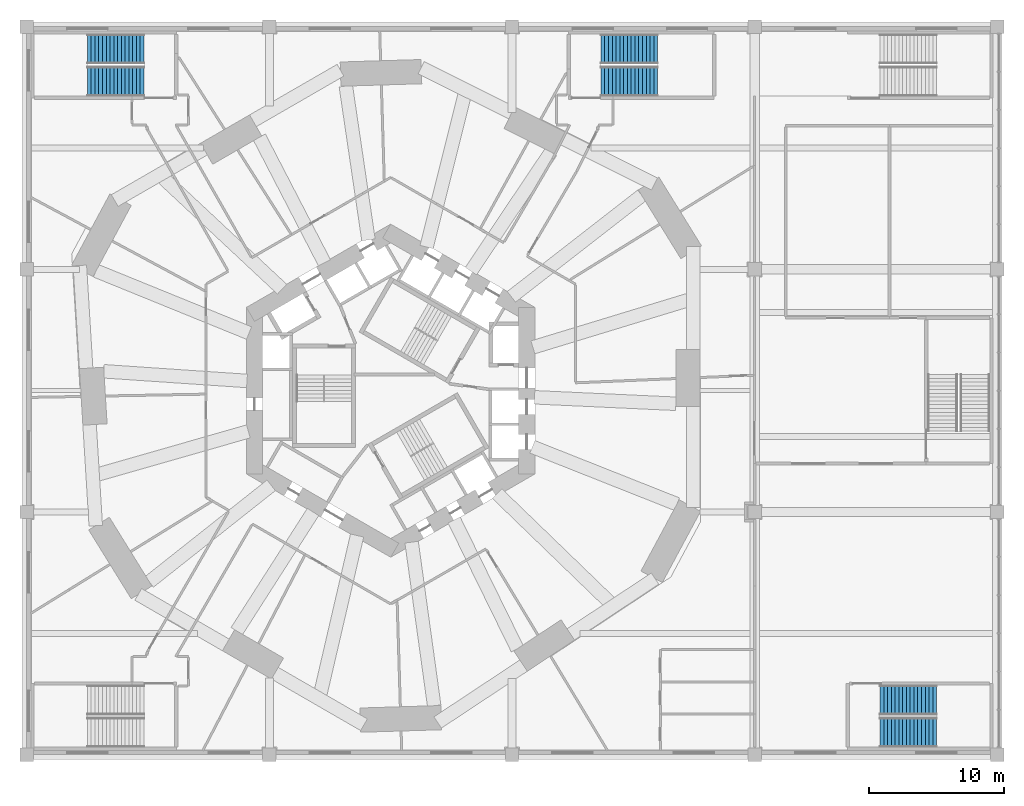
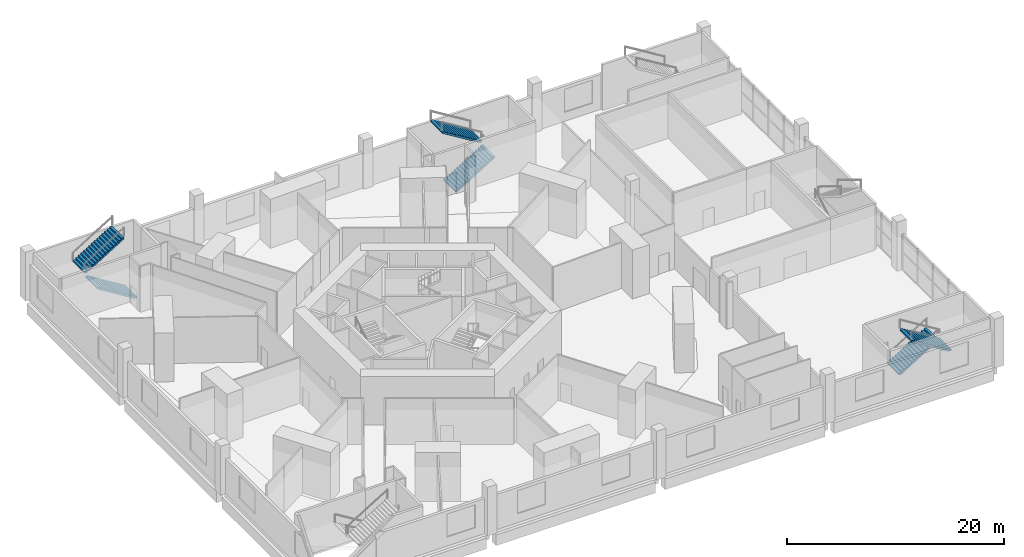
# One storey, part 13 of 16: 6 stair flights, 3 elements without a shape of their own.
"""IFC4 building model written with IfcOpenShell, lengths in metres."""

from ifc_helpers import new_model, si_unit, direction, frame, origin, place, context, subcontext, project, spatial, triangles, source, transform, mapped, material, type_object, element, aggregate, save


model = new_model("IFC4")

# Units and contexts
model_context = context("Model", 3, precision=1e-05, world=origin(), true_north=direction((0.0, 1.0)))
body_context = subcontext(model_context, "Body", "Model", "MODEL_VIEW")
ifc_project = project(units=[si_unit("LENGTHUNIT", "METRE"), si_unit("AREAUNIT", "SQUARE_METRE"), si_unit("VOLUMEUNIT", "CUBIC_METRE"), si_unit("PLANEANGLEUNIT", "RADIAN"), si_unit("MASSUNIT", "GRAM", prefix="KILO")], contexts=[model_context])

# Site, building, storey
site_placement = place(None, origin())
site = spatial("IfcSite", under=ifc_project, at=site_placement, CompositionType="ELEMENT")
building_placement = place(site_placement, origin())
building = spatial("IfcBuilding", under=site, at=building_placement, Name="Vanh Sen Convention Tower", CompositionType="ELEMENT")
storey_placement = place(building_placement, frame((0.0, 0.0, 29.0)))
storey = spatial("IfcBuildingStorey", under=building, at=storey_placement, Name="L04", CompositionType="ELEMENT", Elevation=29.0)

# Stair, stair flights
ifc_material = material(Name="Concrete C40/50", Category="concrete")
stair_type = type_object("IfcStairType", Name="Podium exit stair 2200", PredefinedType="HALF_TURN_STAIR", material=ifc_material)
stair_1_placement = place(storey_placement, origin())
stair_1 = element("IfcStair", 1, at=stair_1_placement, inside=storey, type_object=stair_type, Name="Exit stair PS2 L04", PredefinedType="HALF_TURN_STAIR")
stair_flight_type = type_object("IfcStairFlightType", Name="Podium exit stair flight 2200", PredefinedType="STRAIGHT", material=ifc_material)
shared_shape = source(origin(), body_context, "Body", "Tessellation", [
    triangles([(0.28662109375, 1.10009765625, 0.0), (0.0, 1.10009765625, 0.0), (0.0, 1.10009765625, 0.171875), (0.280029296875, 1.10009765625, 0.171875), (0.280029296875, 1.10009765625, 0.34375), (0.56005859375, 1.10009765625, 0.34375), (0.56005859375, 1.10009765625, 0.515625), (0.840087890625, 1.10009765625, 0.515625), (0.840087890625, 1.10009765625, 0.6875), (1.1201171875, 1.10009765625, 0.6875), (1.1201171875, 1.10009765625, 0.859375), (1.39990234375, 1.10009765625, 0.859375), (1.39990234375, 1.10009765625, 1.03125), (1.679931640625, 1.10009765625, 1.03125), (1.679931640625, 1.10009765625, 1.203125), (1.9599609375, 1.10009765625, 1.203125), (1.9599609375, 1.10009765625, 1.375), (2.239990234375, 1.10009765625, 1.375), (2.239990234375, 1.10009765625, 1.546875), (2.52001953125, 1.10009765625, 1.546875), (2.52001953125, 1.10009765625, 1.71875), (2.800048828125, 1.10009765625, 1.71875), (2.800048828125, 1.10009765625, 1.890625), (3.080078125, 1.10009765625, 1.890625), (3.080078125, 1.10009765625, 2.0625), (3.360107421875, 1.10009765625, 2.0625), (3.360107421875, 1.10009765625, 2.234375), (3.639892578125, 1.10009765625, 2.234375), (3.639892578125, 1.10009765625, 2.40625), (3.919921875, 1.10009765625, 2.40625), (3.919921875, 1.10009765625, 2.578125), (4.199951171875, 1.10009765625, 2.578125), (4.199951171875, 1.10009765625, 2.40234375), (0.28662109375, -1.10009765625, 0.0), (0.0, -1.10009765625, 0.0), (0.0, -1.10009765625, 0.171875), (0.280029296875, -1.10009765625, 0.171875), (0.280029296875, -1.10009765625, 0.34375), (0.56005859375, -1.10009765625, 0.34375), (0.56005859375, -1.10009765625, 0.515625), (0.840087890625, -1.10009765625, 0.515625), (0.840087890625, -1.10009765625, 0.6875), (1.1201171875, -1.10009765625, 0.6875), (1.1201171875, -1.10009765625, 0.859375), (1.39990234375, -1.10009765625, 0.859375), (1.39990234375, -1.10009765625, 1.03125), (1.679931640625, -1.10009765625, 1.03125), (1.679931640625, -1.10009765625, 1.203125), (1.9599609375, -1.10009765625, 1.203125), (1.9599609375, -1.10009765625, 1.375), (2.239990234375, -1.10009765625, 1.375), (2.239990234375, -1.10009765625, 1.546875), (2.52001953125, -1.10009765625, 1.546875), (2.52001953125, -1.10009765625, 1.71875), (2.800048828125, -1.10009765625, 1.71875), (2.800048828125, -1.10009765625, 1.890625), (3.080078125, -1.10009765625, 1.890625), (3.080078125, -1.10009765625, 2.0625), (3.360107421875, -1.10009765625, 2.0625), (3.360107421875, -1.10009765625, 2.234375), (3.639892578125, -1.10009765625, 2.234375), (3.639892578125, -1.10009765625, 2.40625), (3.919921875, -1.10009765625, 2.40625), (3.919921875, -1.10009765625, 2.578125), (4.199951171875, -1.10009765625, 2.578125), (4.199951171875, -1.10009765625, 2.40234375), (0.0, 0.0439453125, 0.0), (0.0, 0.04296875, 0.0), (0.0, 0.0419921875, 0.0), (0.0, 0.04052734375, 0.0), (0.0, 0.03955078125, 0.0), (0.0, 0.03857421875, 0.0), (0.0, 0.03759765625, 0.0), (0.0, 0.0361328125, 0.0), (0.0, 0.03515625, 0.0), (0.0, 0.0341796875, 0.0), (0.0, 0.033203125, 0.0), (0.0, 0.03173828125, 0.0), (0.0, 0.03076171875, 0.0), (0.0, 0.02978515625, 0.0), (0.0, 0.02880859375, 0.0), (0.0, 0.02734375, 0.0), (0.0, 0.0263671875, 0.0), (0.0, 0.025390625, 0.0), (0.0, 0.0244140625, 0.0), (0.0, 0.02294921875, 0.0), (0.0, 0.02197265625, 0.0), (0.0, 0.02099609375, 0.0), (0.0, 0.02001953125, 0.0), (0.0, 0.0185546875, 0.0), (0.0, 0.017578125, 0.0), (0.0, 0.0166015625, 0.0), (0.0, 0.015625, 0.0), (0.0, 0.01416015625, 0.0), (0.0, 0.01318359375, 0.0), (0.0, 0.01220703125, 0.0), (0.0, 0.01123046875, 0.0), (0.0, 0.009765625, 0.0), (0.0, 0.0087890625, 0.0), (0.0, 0.0078125, 0.0), (0.0, 0.0068359375, 0.0), (0.0, 0.00537109375, 0.0), (0.0, 0.00439453125, 0.0), (0.0, 0.00341796875, 0.0), (0.0, 0.00244140625, 0.0), (0.0, 0.0009765625, 0.0), (0.0, 0.0, 0.0), (0.0, -0.0009765625, 0.0), (0.0, -0.00244140625, 0.0), (0.0, -0.00341796875, 0.0), (0.0, -0.00439453125, 0.0), (0.0, -0.00537109375, 0.0), (0.0, -0.0068359375, 0.0), (0.0, -0.0078125, 0.0), (0.0, -0.0087890625, 0.0), (0.0, -0.009765625, 0.0), (0.0, -0.01123046875, 0.0), (0.0, -0.01220703125, 0.0), (0.0, -0.01318359375, 0.0), (0.0, -0.01416015625, 0.0), (0.0, -0.015625, 0.0), (0.0, -0.0166015625, 0.0), (0.0, -0.017578125, 0.0), (0.0, -0.0185546875, 0.0), (0.0, -0.02001953125, 0.0), (0.0, -0.02099609375, 0.0), (0.0, -0.02197265625, 0.0), (0.0, -0.02294921875, 0.0), (0.0, -0.0244140625, 0.0), (0.0, -0.025390625, 0.0), (0.0, -0.0263671875, 0.0), (0.0, -0.02734375, 0.0), (0.0, -0.02880859375, 0.0), (0.0, -0.02978515625, 0.0), (0.0, -0.03076171875, 0.0), (0.0, -0.03173828125, 0.0), (0.0, -0.033203125, 0.0), (0.0, -0.0341796875, 0.0), (0.0, -0.03515625, 0.0), (0.0, -0.0361328125, 0.0), (0.0, -0.03759765625, 0.0), (0.0, -0.03857421875, 0.0), (0.0, -0.03955078125, 0.0), (0.0, -0.04052734375, 0.0), (0.0, -0.0419921875, 0.0), (0.0, -0.04296875, 0.0), (0.0, -0.0439453125, 0.0), (0.0, 0.0439453125, 0.171875), (0.0, 0.04296875, 0.171875), (0.0, 0.0419921875, 0.171875), (0.0, 0.04052734375, 0.171875), (0.0, 0.03955078125, 0.171875), (0.0, 0.03857421875, 0.171875), (0.0, 0.03759765625, 0.171875), (0.0, 0.0361328125, 0.171875), (0.0, 0.03515625, 0.171875), (0.0, 0.0341796875, 0.171875), (0.0, 0.033203125, 0.171875), (0.0, 0.03173828125, 0.171875), (0.0, 0.03076171875, 0.171875), (0.0, 0.02978515625, 0.171875), (0.0, 0.02880859375, 0.171875), (0.0, 0.02734375, 0.171875), (0.0, 0.0263671875, 0.171875), (0.0, 0.025390625, 0.171875), (0.0, 0.0244140625, 0.171875), (0.0, 0.02294921875, 0.171875), (0.0, 0.02197265625, 0.171875), (0.0, 0.02099609375, 0.171875), (0.0, 0.02001953125, 0.171875), (0.0, 0.0185546875, 0.171875), (0.0, 0.017578125, 0.171875), (0.0, 0.0166015625, 0.171875), (0.0, 0.015625, 0.171875), (0.0, 0.01416015625, 0.171875), (0.0, 0.01318359375, 0.171875), (0.0, 0.01220703125, 0.171875), (0.0, 0.01123046875, 0.171875), (0.0, 0.009765625, 0.171875), (0.0, 0.0087890625, 0.171875), (0.0, 0.0078125, 0.171875), (0.0, 0.0068359375, 0.171875), (0.0, 0.00537109375, 0.171875), (0.0, 0.00439453125, 0.171875), (0.0, 0.00341796875, 0.171875), (0.0, 0.00244140625, 0.171875), (0.0, 0.0009765625, 0.171875), (0.0, 0.0, 0.171875), (0.0, -0.0009765625, 0.171875), (0.0, -0.00244140625, 0.171875), (0.0, -0.00341796875, 0.171875), (0.0, -0.00439453125, 0.171875), (0.0, -0.00537109375, 0.171875), (0.0, -0.0068359375, 0.171875), (0.0, -0.0078125, 0.171875), (0.0, -0.0087890625, 0.171875), (0.0, -0.009765625, 0.171875), (0.0, -0.01123046875, 0.171875), (0.0, -0.01220703125, 0.171875), (0.0, -0.01318359375, 0.171875), (0.0, -0.01416015625, 0.171875), (0.0, -0.015625, 0.171875), (0.0, -0.0166015625, 0.171875), (0.0, -0.017578125, 0.171875), (0.0, -0.0185546875, 0.171875), (0.0, -0.02001953125, 0.171875), (0.0, -0.02099609375, 0.171875), (0.0, -0.02197265625, 0.171875), (0.0, -0.02294921875, 0.171875), (0.0, -0.0244140625, 0.171875), (0.0, -0.025390625, 0.171875), (0.0, -0.0263671875, 0.171875), (0.0, -0.02734375, 0.171875), (0.0, -0.02880859375, 0.171875), (0.0, -0.02978515625, 0.171875), (0.0, -0.03076171875, 0.171875), (0.0, -0.03173828125, 0.171875), (0.0, -0.033203125, 0.171875), (0.0, -0.0341796875, 0.171875), (0.0, -0.03515625, 0.171875), (0.0, -0.0361328125, 0.171875), (0.0, -0.03759765625, 0.171875), (0.0, -0.03857421875, 0.171875), (0.0, -0.03955078125, 0.171875), (0.0, -0.04052734375, 0.171875), (0.0, -0.0419921875, 0.171875), (0.0, -0.04296875, 0.171875), (0.0, -0.0439453125, 0.171875), (0.280029296875, 0.0, 0.171875), (0.280029296875, 0.0, 0.34375), (0.56005859375, 0.0, 0.34375), (0.56005859375, 0.0, 0.515625), (0.840087890625, 0.0, 0.515625), (0.840087890625, 0.0, 0.6875), (1.1201171875, 0.0, 0.6875), (1.1201171875, 0.0, 0.859375), (1.39990234375, 0.0, 0.859375), (1.39990234375, 0.0, 1.03125), (1.679931640625, 0.0, 1.03125), (1.679931640625, 0.0, 1.203125), (1.9599609375, 0.0, 1.203125), (1.9599609375, 0.0, 1.375), (2.239990234375, 0.0, 1.375), (2.239990234375, 0.0, 1.546875), (2.52001953125, 0.0, 1.546875), (2.52001953125, 0.0, 1.71875), (2.800048828125, 0.0, 1.71875), (2.800048828125, 0.0, 1.890625), (3.080078125, 0.0, 1.890625), (3.080078125, 0.0, 2.0625), (3.360107421875, 0.0, 2.0625), (3.360107421875, 0.0, 2.234375), (3.639892578125, 0.0, 2.234375), (3.639892578125, 0.0, 2.40625), (3.919921875, 0.0, 2.40625), (3.919921875, 0.0, 2.578125), (4.199951171875, 0.0439453125, 2.578125), (4.199951171875, 0.04296875, 2.578125), (4.199951171875, 0.0419921875, 2.578125), (4.199951171875, 0.04052734375, 2.578125), (4.199951171875, 0.03955078125, 2.578125), (4.199951171875, 0.03857421875, 2.578125), (4.199951171875, 0.03759765625, 2.578125), (4.199951171875, 0.0361328125, 2.578125), (4.199951171875, 0.03515625, 2.578125), (4.199951171875, 0.0341796875, 2.578125), (4.199951171875, 0.033203125, 2.578125), (4.199951171875, 0.03173828125, 2.578125), (4.199951171875, 0.03076171875, 2.578125), (4.199951171875, 0.02978515625, 2.578125), (4.199951171875, 0.02880859375, 2.578125), (4.199951171875, 0.02734375, 2.578125), (4.199951171875, 0.0263671875, 2.578125), (4.199951171875, 0.025390625, 2.578125), (4.199951171875, 0.0244140625, 2.578125), (4.199951171875, 0.02294921875, 2.578125), (4.199951171875, 0.02197265625, 2.578125), (4.199951171875, 0.02099609375, 2.578125), (4.199951171875, 0.02001953125, 2.578125), (4.199951171875, 0.0185546875, 2.578125), (4.199951171875, 0.017578125, 2.578125), (4.199951171875, 0.0166015625, 2.578125), (4.199951171875, 0.015625, 2.578125), (4.199951171875, 0.01416015625, 2.578125), (4.199951171875, 0.01318359375, 2.578125), (4.199951171875, 0.01220703125, 2.578125), (4.199951171875, 0.01123046875, 2.578125), (4.199951171875, 0.009765625, 2.578125), (4.199951171875, 0.0087890625, 2.578125), (4.199951171875, 0.0078125, 2.578125), (4.199951171875, 0.0068359375, 2.578125), (4.199951171875, 0.00537109375, 2.578125), (4.199951171875, 0.00439453125, 2.578125), (4.199951171875, 0.00341796875, 2.578125), (4.199951171875, 0.00244140625, 2.578125), (4.199951171875, 0.0009765625, 2.578125), (4.199951171875, 0.0, 2.578125), (4.199951171875, -0.0009765625, 2.578125), (4.199951171875, -0.00244140625, 2.578125), (4.199951171875, -0.00341796875, 2.578125), (4.199951171875, -0.00439453125, 2.578125), (4.199951171875, -0.00537109375, 2.578125), (4.199951171875, -0.0068359375, 2.578125), (4.199951171875, -0.0078125, 2.578125), (4.199951171875, -0.0087890625, 2.578125), (4.199951171875, -0.009765625, 2.578125), (4.199951171875, -0.01123046875, 2.578125), (4.199951171875, -0.01220703125, 2.578125), (4.199951171875, -0.01318359375, 2.578125), (4.199951171875, -0.01416015625, 2.578125), (4.199951171875, -0.015625, 2.578125), (4.199951171875, -0.0166015625, 2.578125), (4.199951171875, -0.017578125, 2.578125), (4.199951171875, -0.0185546875, 2.578125), (4.199951171875, -0.02001953125, 2.578125), (4.199951171875, -0.02099609375, 2.578125), (4.199951171875, -0.02197265625, 2.578125), (4.199951171875, -0.02294921875, 2.578125), (4.199951171875, -0.0244140625, 2.578125), (4.199951171875, -0.025390625, 2.578125), (4.199951171875, -0.0263671875, 2.578125), (4.199951171875, -0.02734375, 2.578125), (4.199951171875, -0.02880859375, 2.578125), (4.199951171875, -0.02978515625, 2.578125), (4.199951171875, -0.03076171875, 2.578125), (4.199951171875, -0.03173828125, 2.578125), (4.199951171875, -0.033203125, 2.578125), (4.199951171875, -0.0341796875, 2.578125), (4.199951171875, -0.03515625, 2.578125), (4.199951171875, -0.0361328125, 2.578125), (4.199951171875, -0.03759765625, 2.578125), (4.199951171875, -0.03857421875, 2.578125), (4.199951171875, -0.03955078125, 2.578125), (4.199951171875, -0.04052734375, 2.578125), (4.199951171875, -0.0419921875, 2.578125), (4.199951171875, -0.04296875, 2.578125), (4.199951171875, -0.0439453125, 2.578125), (4.199951171875, 0.0439453125, 2.40234375), (4.199951171875, 0.04296875, 2.40234375), (4.199951171875, 0.0419921875, 2.40234375), (4.199951171875, 0.04052734375, 2.40234375), (4.199951171875, 0.03955078125, 2.40234375), (4.199951171875, 0.03857421875, 2.40234375), (4.199951171875, 0.03759765625, 2.40234375), (4.199951171875, 0.0361328125, 2.40234375), (4.199951171875, 0.03515625, 2.40234375), (4.199951171875, 0.0341796875, 2.40234375), (4.199951171875, 0.033203125, 2.40234375), (4.199951171875, 0.03173828125, 2.40234375), (4.199951171875, 0.03076171875, 2.40234375), (4.199951171875, 0.02978515625, 2.40234375), (4.199951171875, 0.02880859375, 2.40234375), (4.199951171875, 0.02734375, 2.40234375), (4.199951171875, 0.0263671875, 2.40234375), (4.199951171875, 0.025390625, 2.40234375), (4.199951171875, 0.0244140625, 2.40234375), (4.199951171875, 0.02294921875, 2.40234375), (4.199951171875, 0.02197265625, 2.40234375), (4.199951171875, 0.02099609375, 2.40234375), (4.199951171875, 0.02001953125, 2.40234375), (4.199951171875, 0.0185546875, 2.40234375), (4.199951171875, 0.017578125, 2.40234375), (4.199951171875, 0.0166015625, 2.40234375), (4.199951171875, 0.015625, 2.40234375), (4.199951171875, 0.01416015625, 2.40234375), (4.199951171875, 0.01318359375, 2.40234375), (4.199951171875, 0.01220703125, 2.40234375), (4.199951171875, 0.01123046875, 2.40234375), (4.199951171875, 0.009765625, 2.40234375), (4.199951171875, 0.0087890625, 2.40234375), (4.199951171875, 0.0078125, 2.40234375), (4.199951171875, 0.0068359375, 2.40234375), (4.199951171875, 0.00537109375, 2.40234375), (4.199951171875, 0.00439453125, 2.40234375), (4.199951171875, 0.00341796875, 2.40234375), (4.199951171875, 0.00244140625, 2.40234375), (4.199951171875, 0.0009765625, 2.40234375), (4.199951171875, 0.0, 2.40234375), (4.199951171875, -0.0009765625, 2.40234375), (4.199951171875, -0.00244140625, 2.40234375), (4.199951171875, -0.00341796875, 2.40234375), (4.199951171875, -0.00439453125, 2.40234375), (4.199951171875, -0.00537109375, 2.40234375), (4.199951171875, -0.0068359375, 2.40234375), (4.199951171875, -0.0078125, 2.40234375), (4.199951171875, -0.0087890625, 2.40234375), (4.199951171875, -0.009765625, 2.40234375), (4.199951171875, -0.01123046875, 2.40234375), (4.199951171875, -0.01220703125, 2.40234375), (4.199951171875, -0.01318359375, 2.40234375), (4.199951171875, -0.01416015625, 2.40234375), (4.199951171875, -0.015625, 2.40234375), (4.199951171875, -0.0166015625, 2.40234375), (4.199951171875, -0.017578125, 2.40234375), (4.199951171875, -0.0185546875, 2.40234375), (4.199951171875, -0.02001953125, 2.40234375), (4.199951171875, -0.02099609375, 2.40234375), (4.199951171875, -0.02197265625, 2.40234375), (4.199951171875, -0.02294921875, 2.40234375), (4.199951171875, -0.0244140625, 2.40234375), (4.199951171875, -0.025390625, 2.40234375), (4.199951171875, -0.0263671875, 2.40234375), (4.199951171875, -0.02734375, 2.40234375), (4.199951171875, -0.02880859375, 2.40234375), (4.199951171875, -0.02978515625, 2.40234375), (4.199951171875, -0.03076171875, 2.40234375), (4.199951171875, -0.03173828125, 2.40234375), (4.199951171875, -0.033203125, 2.40234375), (4.199951171875, -0.0341796875, 2.40234375), (4.199951171875, -0.03515625, 2.40234375), (4.199951171875, -0.0361328125, 2.40234375), (4.199951171875, -0.03759765625, 2.40234375), (4.199951171875, -0.03857421875, 2.40234375), (4.199951171875, -0.03955078125, 2.40234375), (4.199951171875, -0.04052734375, 2.40234375), (4.199951171875, -0.0419921875, 2.40234375), (4.199951171875, -0.04296875, 2.40234375), (4.199951171875, -0.0439453125, 2.40234375), (0.28662109375, 0.0, 0.0)], [[1, 2, 3], [1, 3, 4], [1, 4, 5], [1, 5, 6], [6, 7, 8], [1, 6, 8], [8, 9, 10], [1, 8, 10], [10, 11, 12], [1, 10, 12], [12, 13, 14], [1, 12, 14], [14, 15, 16], [1, 14, 16], [16, 17, 18], [1, 16, 18], [18, 19, 20], [1, 18, 20], [20, 21, 22], [1, 20, 22], [22, 23, 24], [1, 22, 24], [24, 25, 26], [1, 24, 26], [26, 27, 28], [1, 26, 28], [28, 29, 30], [1, 28, 30], [30, 31, 32], [1, 30, 32], [32, 33, 1], [34, 36, 35], [34, 37, 36], [34, 38, 37], [34, 39, 38], [39, 41, 40], [34, 41, 39], [41, 43, 42], [34, 43, 41], [43, 45, 44], [34, 45, 43], [45, 47, 46], [34, 47, 45], [47, 49, 48], [34, 49, 47], [49, 51, 50], [34, 51, 49], [51, 53, 52], [34, 53, 51], [53, 55, 54], [34, 55, 53], [55, 57, 56], [34, 57, 55], [57, 59, 58], [34, 59, 57], [59, 61, 60], [34, 61, 59], [61, 63, 62], [34, 63, 61], [63, 65, 64], [34, 65, 63], [65, 34, 66], [2, 148, 3], [2, 67, 148], [67, 149, 148], [67, 68, 149], [68, 150, 149], [68, 69, 150], [69, 151, 150], [69, 70, 151], [70, 152, 151], [70, 71, 152], [71, 153, 152], [71, 72, 153], [72, 154, 153], [72, 73, 154], [73, 155, 154], [73, 74, 155], [74, 156, 155], [74, 75, 156], [75, 157, 156], [75, 76, 157], [76, 158, 157], [76, 77, 158], [77, 159, 158], [77, 78, 159], [78, 160, 159], [78, 79, 160], [79, 161, 160], [79, 80, 161], [80, 162, 161], [80, 81, 162], [81, 163, 162], [81, 82, 163], [82, 164, 163], [82, 83, 164], [83, 165, 164], [83, 84, 165], [84, 166, 165], [84, 85, 166], [85, 167, 166], [85, 86, 167], [86, 168, 167], [86, 87, 168], [87, 169, 168], [87, 88, 169], [88, 170, 169], [88, 89, 170], [89, 171, 170], [89, 90, 171], [90, 172, 171], [90, 91, 172], [91, 173, 172], [91, 92, 173], [92, 174, 173], [92, 93, 174], [93, 175, 174], [93, 94, 175], [94, 176, 175], [94, 95, 176], [95, 177, 176], [95, 96, 177], [96, 178, 177], [96, 97, 178], [97, 179, 178], [97, 98, 179], [98, 180, 179], [98, 99, 180], [99, 181, 180], [99, 100, 181], [100, 182, 181], [100, 101, 182], [101, 183, 182], [101, 102, 183], [102, 184, 183], [102, 103, 184], [103, 185, 184], [103, 104, 185], [104, 186, 185], [104, 105, 186], [105, 187, 186], [105, 106, 187], [106, 188, 187], [106, 107, 188], [107, 108, 188], [188, 108, 189], [108, 109, 189], [189, 109, 190], [109, 110, 190], [190, 110, 191], [110, 111, 191], [191, 111, 192], [111, 112, 192], [192, 112, 193], [112, 113, 193], [193, 113, 194], [113, 114, 194], [194, 114, 195], [114, 115, 195], [195, 115, 196], [115, 116, 196], [196, 116, 197], [116, 117, 197], [197, 117, 198], [117, 118, 198], [198, 118, 199], [118, 119, 199], [199, 119, 200], [119, 120, 200], [200, 120, 201], [120, 121, 201], [201, 121, 202], [121, 122, 202], [202, 122, 203], [122, 123, 203], [203, 123, 204], [123, 124, 204], [204, 124, 205], [124, 125, 205], [205, 125, 206], [125, 126, 206], [206, 126, 207], [126, 127, 207], [207, 127, 208], [127, 128, 208], [208, 128, 209], [128, 129, 209], [209, 129, 210], [129, 130, 210], [210, 130, 211], [130, 131, 211], [211, 131, 212], [131, 132, 212], [212, 132, 213], [132, 133, 213], [213, 133, 214], [133, 134, 214], [214, 134, 215], [134, 135, 215], [215, 135, 216], [135, 136, 216], [216, 136, 217], [136, 137, 217], [217, 137, 218], [137, 138, 218], [218, 138, 219], [138, 139, 219], [219, 139, 220], [139, 140, 220], [220, 140, 221], [140, 141, 221], [221, 141, 222], [141, 142, 222], [222, 142, 223], [142, 143, 223], [223, 143, 224], [143, 144, 224], [224, 144, 225], [144, 145, 225], [225, 145, 226], [145, 146, 226], [226, 146, 227], [146, 147, 227], [227, 147, 228], [147, 35, 228], [228, 35, 36], [4, 3, 148], [4, 148, 149], [4, 149, 150], [4, 150, 151], [4, 151, 152], [4, 152, 153], [4, 153, 154], [4, 154, 155], [4, 155, 156], [4, 156, 157], [4, 157, 158], [4, 158, 159], [4, 159, 160], [4, 160, 161], [4, 161, 162], [4, 162, 163], [4, 163, 164], [4, 164, 165], [4, 165, 166], [4, 166, 167], [4, 167, 168], [4, 168, 169], [4, 169, 170], [4, 170, 171], [4, 171, 172], [4, 172, 173], [4, 173, 174], [4, 174, 175], [4, 175, 176], [4, 176, 177], [4, 177, 178], [4, 178, 179], [4, 179, 180], [4, 180, 181], [4, 181, 182], [4, 182, 183], [4, 183, 184], [4, 184, 185], [4, 185, 186], [4, 186, 187], [4, 187, 188], [37, 188, 189], [37, 189, 190], [37, 190, 191], [37, 191, 192], [37, 192, 193], [37, 193, 194], [37, 194, 195], [37, 195, 196], [37, 196, 197], [37, 197, 198], [37, 198, 199], [37, 199, 200], [37, 200, 201], [37, 201, 202], [37, 202, 203], [37, 203, 204], [37, 204, 205], [37, 205, 206], [37, 206, 207], [37, 207, 208], [37, 208, 209], [37, 209, 210], [37, 210, 211], [37, 211, 212], [37, 212, 213], [37, 213, 214], [37, 214, 215], [37, 215, 216], [37, 216, 217], [37, 217, 218], [37, 218, 219], [37, 219, 220], [37, 220, 221], [37, 221, 222], [37, 222, 223], [37, 223, 224], [37, 224, 225], [37, 225, 226], [37, 226, 227], [37, 227, 228], [37, 228, 36], [4, 188, 229], [37, 229, 188], [4, 230, 5], [4, 229, 230], [229, 37, 230], [230, 37, 38], [5, 231, 6], [5, 230, 231], [230, 38, 231], [231, 38, 39], [6, 232, 7], [6, 231, 232], [231, 39, 232], [232, 39, 40], [7, 233, 8], [7, 232, 233], [232, 40, 233], [233, 40, 41], [8, 234, 9], [8, 233, 234], [233, 41, 234], [234, 41, 42], [9, 235, 10], [9, 234, 235], [234, 42, 235], [235, 42, 43], [10, 236, 11], [10, 235, 236], [235, 43, 236], [236, 43, 44], [11, 237, 12], [11, 236, 237], [236, 44, 237], [237, 44, 45], [12, 238, 13], [12, 237, 238], [237, 45, 238], [238, 45, 46], [13, 239, 14], [13, 238, 239], [238, 46, 239], [239, 46, 47], [14, 240, 15], [14, 239, 240], [239, 47, 240], [240, 47, 48], [15, 241, 16], [15, 240, 241], [240, 48, 241], [241, 48, 49], [16, 242, 17], [16, 241, 242], [241, 49, 242], [242, 49, 50], [17, 243, 18], [17, 242, 243], [242, 50, 243], [243, 50, 51], [18, 244, 19], [18, 243, 244], [243, 51, 244], [244, 51, 52], [19, 245, 20], [19, 244, 245], [244, 52, 245], [245, 52, 53], [20, 246, 21], [20, 245, 246], [245, 53, 246], [246, 53, 54], [21, 247, 22], [21, 246, 247], [246, 54, 247], [247, 54, 55], [22, 248, 23], [22, 247, 248], [247, 55, 248], [248, 55, 56], [23, 249, 24], [23, 248, 249], [248, 56, 249], [249, 56, 57], [24, 250, 25], [24, 249, 250], [249, 57, 250], [250, 57, 58], [25, 251, 26], [25, 250, 251], [250, 58, 251], [251, 58, 59], [26, 252, 27], [26, 251, 252], [251, 59, 252], [252, 59, 60], [27, 253, 28], [27, 252, 253], [252, 60, 253], [253, 60, 61], [28, 254, 29], [28, 253, 254], [253, 61, 254], [254, 61, 62], [29, 255, 30], [29, 254, 255], [254, 62, 255], [255, 62, 63], [30, 256, 31], [30, 255, 256], [255, 63, 256], [256, 63, 64], [31, 257, 32], [31, 258, 257], [31, 259, 258], [31, 260, 259], [31, 261, 260], [31, 262, 261], [31, 263, 262], [31, 264, 263], [31, 265, 264], [31, 266, 265], [31, 267, 266], [31, 268, 267], [31, 269, 268], [31, 270, 269], [31, 271, 270], [31, 272, 271], [31, 273, 272], [31, 274, 273], [31, 275, 274], [31, 276, 275], [31, 277, 276], [31, 278, 277], [31, 279, 278], [31, 280, 279], [31, 281, 280], [31, 282, 281], [31, 283, 282], [31, 284, 283], [31, 285, 284], [31, 286, 285], [31, 287, 286], [31, 288, 287], [31, 289, 288], [31, 290, 289], [31, 291, 290], [31, 292, 291], [31, 293, 292], [31, 294, 293], [31, 295, 294], [31, 296, 295], [31, 297, 296], [64, 298, 297], [64, 299, 298], [64, 300, 299], [64, 301, 300], [64, 302, 301], [64, 303, 302], [64, 304, 303], [64, 305, 304], [64, 306, 305], [64, 307, 306], [64, 308, 307], [64, 309, 308], [64, 310, 309], [64, 311, 310], [64, 312, 311], [64, 313, 312], [64, 314, 313], [64, 315, 314], [64, 316, 315], [64, 317, 316], [64, 318, 317], [64, 319, 318], [64, 320, 319], [64, 321, 320], [64, 322, 321], [64, 323, 322], [64, 324, 323], [64, 325, 324], [64, 326, 325], [64, 327, 326], [64, 328, 327], [64, 329, 328], [64, 330, 329], [64, 331, 330], [64, 332, 331], [64, 333, 332], [64, 334, 333], [64, 335, 334], [64, 336, 335], [64, 337, 336], [64, 65, 337], [31, 256, 297], [64, 297, 256], [32, 338, 33], [32, 257, 338], [257, 339, 338], [257, 258, 339], [258, 340, 339], [258, 259, 340], [259, 341, 340], [259, 260, 341], [260, 342, 341], [260, 261, 342], [261, 343, 342], [261, 262, 343], [262, 344, 343], [262, 263, 344], [263, 345, 344], [263, 264, 345], [264, 346, 345], [264, 265, 346], [265, 347, 346], [265, 266, 347], [266, 348, 347], [266, 267, 348], [267, 349, 348], [267, 268, 349], [268, 350, 349], [268, 269, 350], [269, 351, 350], [269, 270, 351], [270, 352, 351], [270, 271, 352], [271, 353, 352], [271, 272, 353], [272, 354, 353], [272, 273, 354], [273, 355, 354], [273, 274, 355], [274, 356, 355], [274, 275, 356], [275, 357, 356], [275, 276, 357], [276, 358, 357], [276, 277, 358], [277, 359, 358], [277, 278, 359], [278, 360, 359], [278, 279, 360], [279, 361, 360], [279, 280, 361], [280, 362, 361], [280, 281, 362], [281, 363, 362], [281, 282, 363], [282, 364, 363], [282, 283, 364], [283, 365, 364], [283, 284, 365], [284, 366, 365], [284, 285, 366], [285, 367, 366], [285, 286, 367], [286, 368, 367], [286, 287, 368], [287, 369, 368], [287, 288, 369], [288, 370, 369], [288, 289, 370], [289, 371, 370], [289, 290, 371], [290, 372, 371], [290, 291, 372], [291, 373, 372], [291, 292, 373], [292, 374, 373], [292, 293, 374], [293, 375, 374], [293, 294, 375], [294, 376, 375], [294, 295, 376], [295, 377, 376], [295, 296, 377], [296, 378, 377], [296, 297, 378], [297, 298, 378], [378, 298, 379], [298, 299, 379], [379, 299, 380], [299, 300, 380], [380, 300, 381], [300, 301, 381], [381, 301, 382], [301, 302, 382], [382, 302, 383], [302, 303, 383], [383, 303, 384], [303, 304, 384], [384, 304, 385], [304, 305, 385], [385, 305, 386], [305, 306, 386], [386, 306, 387], [306, 307, 387], [387, 307, 388], [307, 308, 388], [388, 308, 389], [308, 309, 389], [389, 309, 390], [309, 310, 390], [390, 310, 391], [310, 311, 391], [391, 311, 392], [311, 312, 392], [392, 312, 393], [312, 313, 393], [393, 313, 394], [313, 314, 394], [394, 314, 395], [314, 315, 395], [395, 315, 396], [315, 316, 396], [396, 316, 397], [316, 317, 397], [397, 317, 398], [317, 318, 398], [398, 318, 399], [318, 319, 399], [399, 319, 400], [319, 320, 400], [400, 320, 401], [320, 321, 401], [401, 321, 402], [321, 322, 402], [402, 322, 403], [322, 323, 403], [403, 323, 404], [323, 324, 404], [404, 324, 405], [324, 325, 405], [405, 325, 406], [325, 326, 406], [406, 326, 407], [326, 327, 407], [407, 327, 408], [327, 328, 408], [408, 328, 409], [328, 329, 409], [409, 329, 410], [329, 330, 410], [410, 330, 411], [330, 331, 411], [411, 331, 412], [331, 332, 412], [412, 332, 413], [332, 333, 413], [413, 333, 414], [333, 334, 414], [414, 334, 415], [334, 335, 415], [415, 335, 416], [335, 336, 416], [416, 336, 417], [336, 337, 417], [417, 337, 418], [337, 65, 418], [418, 65, 66], [1, 33, 338], [1, 338, 339], [1, 339, 340], [1, 340, 341], [1, 341, 342], [1, 342, 343], [1, 343, 344], [1, 344, 345], [1, 345, 346], [1, 346, 347], [1, 347, 348], [1, 348, 349], [1, 349, 350], [1, 350, 351], [1, 351, 352], [1, 352, 353], [1, 353, 354], [1, 354, 355], [1, 355, 356], [1, 356, 357], [1, 357, 358], [1, 358, 359], [1, 359, 360], [1, 360, 361], [1, 361, 362], [1, 362, 363], [1, 363, 364], [1, 364, 365], [1, 365, 366], [1, 366, 367], [1, 367, 368], [1, 368, 369], [1, 369, 370], [1, 370, 371], [1, 371, 372], [1, 372, 373], [1, 373, 374], [1, 374, 375], [1, 375, 376], [1, 376, 377], [1, 377, 378], [34, 378, 379], [34, 379, 380], [34, 380, 381], [34, 381, 382], [34, 382, 383], [34, 383, 384], [34, 384, 385], [34, 385, 386], [34, 386, 387], [34, 387, 388], [34, 388, 389], [34, 389, 390], [34, 390, 391], [34, 391, 392], [34, 392, 393], [34, 393, 394], [34, 394, 395], [34, 395, 396], [34, 396, 397], [34, 397, 398], [34, 398, 399], [34, 399, 400], [34, 400, 401], [34, 401, 402], [34, 402, 403], [34, 403, 404], [34, 404, 405], [34, 405, 406], [34, 406, 407], [34, 407, 408], [34, 408, 409], [34, 409, 410], [34, 410, 411], [34, 411, 412], [34, 412, 413], [34, 413, 414], [34, 414, 415], [34, 415, 416], [34, 416, 417], [34, 417, 418], [34, 418, 66], [1, 378, 419], [34, 419, 378], [1, 67, 2], [1, 68, 67], [1, 69, 68], [1, 70, 69], [1, 71, 70], [1, 72, 71], [1, 73, 72], [1, 74, 73], [1, 75, 74], [1, 76, 75], [1, 77, 76], [1, 78, 77], [1, 79, 78], [1, 80, 79], [1, 81, 80], [1, 82, 81], [1, 83, 82], [1, 84, 83], [1, 85, 84], [1, 86, 85], [1, 87, 86], [1, 88, 87], [1, 89, 88], [1, 90, 89], [1, 91, 90], [1, 92, 91], [1, 93, 92], [1, 94, 93], [1, 95, 94], [1, 96, 95], [1, 97, 96], [1, 98, 97], [1, 99, 98], [1, 100, 99], [1, 101, 100], [1, 102, 101], [1, 103, 102], [1, 104, 103], [1, 105, 104], [1, 106, 105], [1, 107, 106], [34, 108, 107], [34, 109, 108], [34, 110, 109], [34, 111, 110], [34, 112, 111], [34, 113, 112], [34, 114, 113], [34, 115, 114], [34, 116, 115], [34, 117, 116], [34, 118, 117], [34, 119, 118], [34, 120, 119], [34, 121, 120], [34, 122, 121], [34, 123, 122], [34, 124, 123], [34, 125, 124], [34, 126, 125], [34, 127, 126], [34, 128, 127], [34, 129, 128], [34, 130, 129], [34, 131, 130], [34, 132, 131], [34, 133, 132], [34, 134, 133], [34, 135, 134], [34, 136, 135], [34, 137, 136], [34, 138, 137], [34, 139, 138], [34, 140, 139], [34, 141, 140], [34, 142, 141], [34, 143, 142], [34, 144, 143], [34, 145, 144], [34, 146, 145], [34, 147, 146], [34, 35, 147], [1, 419, 107], [34, 107, 419]], closed=True),
])
stair_flight_1_placement = place(storey_placement, frame((36.300048828125, -22.949951171875, 0.0), z_axis=(0.0, 0.0, 1.0), x_axis=(1.0, 0.0, 0.0)))
stair_flight_1 = element("IfcStairFlight", 2, at=stair_flight_1_placement, type_object=stair_flight_type, Name="PS2 flight 1", NumberOfRisers=16, NumberOfTreads=15, PredefinedType="STRAIGHT", RiserHeight=0.171875, TreadLength=0.28, context=body_context, shape_type="MappedRepresentation", body=[
    mapped(shared_shape, transform((0.0, 0.0, 0.0))),
])
stair_flight_2_placement = place(storey_placement, frame((40.5, -25.35009765625, 2.75), z_axis=(0.0, 0.0, 1.0), x_axis=(-1.0, 0.0, 0.0)))
stair_flight_2 = element("IfcStairFlight", 3, at=stair_flight_2_placement, type_object=stair_flight_type, Name="PS2 flight 2", NumberOfRisers=16, NumberOfTreads=15, PredefinedType="STRAIGHT", RiserHeight=0.171875, TreadLength=0.28, context=body_context, shape_type="MappedRepresentation", body=[
    mapped(shared_shape, transform((0.0, 0.0, 0.0))),
])
aggregate(stair_1, [stair_flight_1, stair_flight_2])

stair_2_placement = place(storey_placement, origin())
stair_2 = element("IfcStair", 4, at=stair_2_placement, inside=storey, type_object=stair_type, Name="Exit stair PS4 L04", PredefinedType="HALF_TURN_STAIR")
stair_flight_3_placement = place(storey_placement, frame((15.60009765625, 22.949951171875, 0.0), z_axis=(0.0, 0.0, 1.0), x_axis=(1.0, 0.0, 0.0)))
stair_flight_3 = element("IfcStairFlight", 5, at=stair_flight_3_placement, type_object=stair_flight_type, Name="PS4 flight 1", NumberOfRisers=16, NumberOfTreads=15, PredefinedType="STRAIGHT", RiserHeight=0.171875, TreadLength=0.28, context=body_context, shape_type="MappedRepresentation", body=[
    mapped(shared_shape, transform((0.0, 0.0, 0.0))),
])
stair_flight_4_placement = place(storey_placement, frame((19.800048828125, 25.35009765625, 2.75), z_axis=(0.0, 0.0, 1.0), x_axis=(-1.0, 0.0, 0.0)))
stair_flight_4 = element("IfcStairFlight", 6, at=stair_flight_4_placement, type_object=stair_flight_type, Name="PS4 flight 2", NumberOfRisers=16, NumberOfTreads=15, PredefinedType="STRAIGHT", RiserHeight=0.171875, TreadLength=0.28, context=body_context, shape_type="MappedRepresentation", body=[
    mapped(shared_shape, transform((0.0, 0.0, 0.0))),
])
aggregate(stair_2, [stair_flight_3, stair_flight_4])

stair_3_placement = place(storey_placement, origin())
stair_3 = element("IfcStair", 7, at=stair_3_placement, inside=storey, type_object=stair_type, Name="Exit stair PS5 L04", PredefinedType="HALF_TURN_STAIR")
stair_flight_5_placement = place(storey_placement, frame((-18.300048828125, 22.949951171875, 0.0), z_axis=(0.0, 0.0, 1.0), x_axis=(-1.0, 0.0, 0.0)))
stair_flight_5 = element("IfcStairFlight", 8, at=stair_flight_5_placement, type_object=stair_flight_type, Name="PS5 flight 1", NumberOfRisers=16, NumberOfTreads=15, PredefinedType="STRAIGHT", RiserHeight=0.171875, TreadLength=0.28, context=body_context, shape_type="MappedRepresentation", body=[
    mapped(shared_shape, transform((0.0, 0.0, 0.0))),
])
stair_flight_6_placement = place(storey_placement, frame((-22.5, 25.35009765625, 2.75), z_axis=(0.0, 0.0, 1.0), x_axis=(1.0, 0.0, 0.0)))
stair_flight_6 = element("IfcStairFlight", 9, at=stair_flight_6_placement, type_object=stair_flight_type, Name="PS5 flight 2", NumberOfRisers=16, NumberOfTreads=15, PredefinedType="STRAIGHT", RiserHeight=0.171875, TreadLength=0.28, context=body_context, shape_type="MappedRepresentation", body=[
    mapped(shared_shape, transform((0.0, 0.0, 0.0))),
])
aggregate(stair_3, [stair_flight_5, stair_flight_6])

save(model, "model.ifc")
